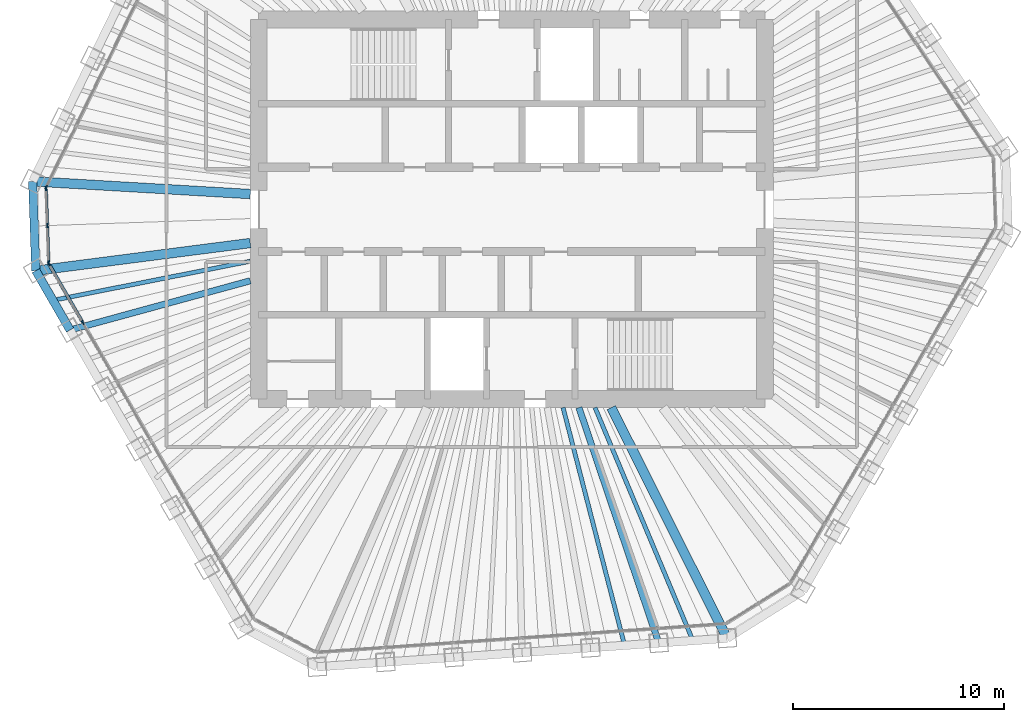
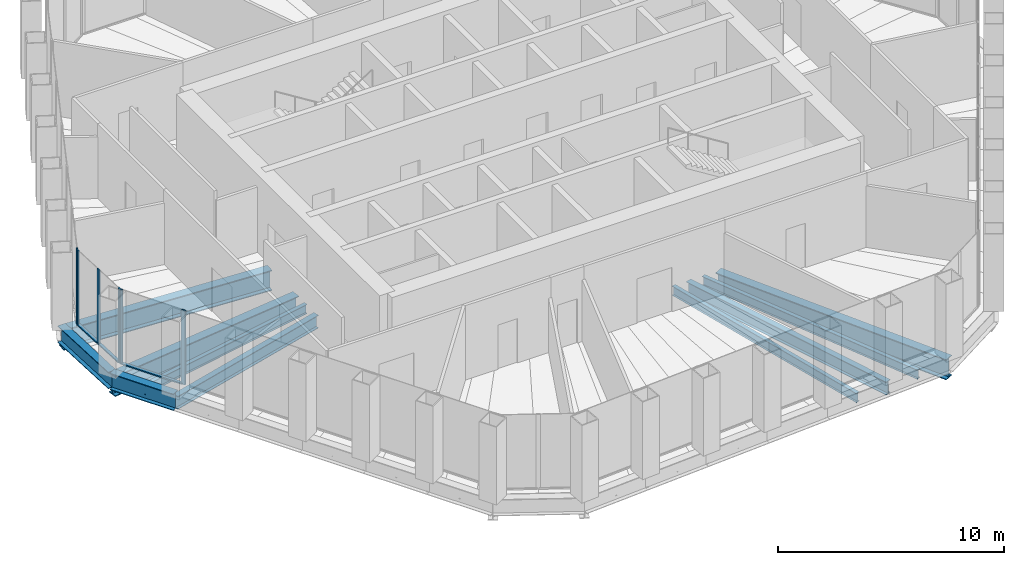
# One storey, part 3 of 14: 10 beams, 9 members, 3 elements without a shape of their own.
"""IFC4 building model written with IfcOpenShell, lengths in metres."""

from ifc_helpers import new_model, si_unit, direction, frame, origin, origin_2d, place, context, subcontext, project, spatial, rectangle, i_section, extrude, material, material_profile, profile_set, type_object, element, aggregate, save


model = new_model("IFC4")

# Units and contexts
model_context = context("Model", 3, precision=1e-05, world=origin(), true_north=direction((0.0, 1.0)))
body_context = subcontext(model_context, "Body", "Model", "MODEL_VIEW")
ifc_project = project(units=[si_unit("LENGTHUNIT", "METRE"), si_unit("AREAUNIT", "SQUARE_METRE"), si_unit("VOLUMEUNIT", "CUBIC_METRE"), si_unit("PLANEANGLEUNIT", "RADIAN"), si_unit("MASSUNIT", "GRAM", prefix="KILO")], contexts=[model_context])

# Site, building, storey
site_placement = place(None, origin())
site = spatial("IfcSite", under=ifc_project, at=site_placement, CompositionType="ELEMENT")
building_placement = place(site_placement, origin())
building = spatial("IfcBuilding", under=site, at=building_placement, Name="Qingtian Harvest Tower", CompositionType="ELEMENT")
storey_placement = place(building_placement, frame((0.0, 0.0, 308.199951171875)))
storey = spatial("IfcBuildingStorey", under=building, at=storey_placement, Name="L68", CompositionType="ELEMENT", Elevation=308.199951171875)

# Beams
ifc_material_1 = material(Name="Steel SM570MC", Category="steel")
ifc_material_profile_1 = material_profile(ifc_material_1, i_section(OverallWidth=0.449951171875, OverallDepth=1.10009765625, WebThickness=0.02197265625, FlangeThickness=0.044921875, at=origin_2d()), Name="H1100x450x22x45")
ifc_profile_set_1 = profile_set([ifc_material_profile_1], Name="Steel SM570MC")
beam_type_1 = type_object("IfcBeamType", Name="Corner floor beam FB8 H1100x450x22x45", PredefinedType="BEAM", material=ifc_profile_set_1)
beam_1_placement = place(storey_placement, frame((10.20947265625, -20.33740234375, -0.719970703125), z_axis=(-0.448649335107, 0.893707879627, 0.0), x_axis=(-0.893707879627, -0.448649335107, 0.0)))
element("IfcBeam", 1, at=beam_1_placement, inside=storey, type_object=beam_type_1, Name="Floor beam FB8 S0", PredefinedType="BEAM", context=body_context, shape_type="SweptSolid", body=[
    extrude(i_section(OverallWidth=0.449951171875, OverallDepth=1.10009765625, WebThickness=0.02197265625, FlangeThickness=0.044921875, at=origin_2d()), origin(), (0.0, 0.0, 1.0), 12.23828125),
])
beam_2_placement = place(storey_placement, frame((-22.569580078125, -2.908447265625, -0.719970703125), z_axis=(0.991798519758, 0.127811174026, 0.0), x_axis=(-0.127811174026, 0.991798519758, 0.0)))
element("IfcBeam", 2, at=beam_2_placement, inside=storey, type_object=beam_type_1, Name="Floor beam FB8 SW6", PredefinedType="BEAM", context=body_context, shape_type="SweptSolid", body=[
    extrude(i_section(OverallWidth=0.449951171875, OverallDepth=1.10009765625, WebThickness=0.02197265625, FlangeThickness=0.044921875, at=origin_2d()), origin(), (0.0, 0.0, 1.0), 10.253662109375),
])
beam_3_placement = place(storey_placement, frame((-22.71728515625, 1.3271484375, -0.719970703125), z_axis=(0.998297672445, -0.058324584791, 0.0), x_axis=(0.058324584791, 0.998297672445, 0.0)))
element("IfcBeam", 3, at=beam_3_placement, inside=storey, type_object=beam_type_1, Name="Floor beam FB8 NW0", PredefinedType="BEAM", context=body_context, shape_type="SweptSolid", body=[
    extrude(i_section(OverallWidth=0.449951171875, OverallDepth=1.10009765625, WebThickness=0.02197265625, FlangeThickness=0.044921875, at=origin_2d()), origin(), (0.0, 0.0, 1.0), 10.3349609375),
])
ifc_material_2 = material(Name="Steel SN490B", Category="steel")
ifc_material_profile_2 = material_profile(ifc_material_2, i_section(OverallWidth=0.300048828125, OverallDepth=0.699951171875, WebThickness=0.012939453125, FlangeThickness=0.02392578125, at=origin_2d()), Name="H700x300x13x24")
ifc_profile_set_2 = profile_set([ifc_material_profile_2], Name="Steel SN490B")
beam_type_2 = type_object("IfcBeamType", Name="Floor beam FB4 H700x300x13x24", PredefinedType="BEAM", material=ifc_profile_set_2)
beam_4_placement = place(storey_placement, frame((6.96923828125, -20.56396484375, -0.52001953125), z_axis=(-0.320964658262, 0.947091172035, 0.0), x_axis=(-0.947091172035, -0.320964658262, 0.0)))
element("IfcBeam", 4, at=beam_4_placement, inside=storey, type_object=beam_type_2, Name="Floor beam FB4 S1", PredefinedType="BEAM", context=body_context, shape_type="SweptSolid", body=[
    extrude(i_section(OverallWidth=0.300048828125, OverallDepth=0.699951171875, WebThickness=0.012939453125, FlangeThickness=0.02392578125, at=origin_2d()), origin(), (0.0, 0.0, 1.0), 11.787841796875),
])
beam_5_placement = place(storey_placement, frame((-20.945556640625, -5.721435546875, -0.52001953125), z_axis=(0.96466071762, 0.26349516102, 0.0), x_axis=(-0.26349516102, 0.96466071762, 0.0)))
element("IfcBeam", 5, at=beam_5_placement, inside=storey, type_object=beam_type_2, Name="Floor beam FB4 SW5", PredefinedType="BEAM", context=body_context, shape_type="SweptSolid", body=[
    extrude(i_section(OverallWidth=0.300048828125, OverallDepth=0.699951171875, WebThickness=0.012939453125, FlangeThickness=0.02392578125, at=origin_2d()), origin(), (0.0, 0.0, 1.0), 8.858642578125),
])
ifc_material_3 = material(Name="Steel SN490B", Category="steel")
ifc_material_profile_3 = material_profile(ifc_material_3, i_section(OverallWidth=0.199951171875, OverallDepth=0.5, WebThickness=0.010009765625, FlangeThickness=0.01611328125, at=origin_2d()), Name="H500x200x10x16")
ifc_profile_set_3 = profile_set([ifc_material_profile_3], Name="Steel SN490B")
beam_type_3 = type_object("IfcBeamType", Name="Floor joist J3 H500x200x10x16", PredefinedType="JOIST", material=ifc_profile_set_3)
beam_6_placement = place(storey_placement, frame((8.58935546875, -20.45068359375, -0.419921875), z_axis=(-0.387234562114, 0.921981232946, 0.0), x_axis=(-0.921981232946, -0.387234562114, 0.0)))
element("IfcBeam", 6, at=beam_6_placement, inside=storey, type_object=beam_type_3, Name="Floor joist J3 S0", PredefinedType="JOIST", context=body_context, shape_type="SweptSolid", body=[
    extrude(i_section(OverallWidth=0.199951171875, OverallDepth=0.5, WebThickness=0.010009765625, FlangeThickness=0.01611328125, at=origin_2d()), origin(), (0.0, 0.0, 1.0), 11.98583984375),
])
beam_7_placement = place(storey_placement, frame((5.349365234375, -20.67724609375, -0.419921875), z_axis=(-0.250457336117, 0.968127637652, 0.0), x_axis=(-0.968127637652, -0.250457336117, 0.0)))
element("IfcBeam", 7, at=beam_7_placement, inside=storey, type_object=beam_type_3, Name="Floor joist J3 S1", PredefinedType="JOIST", context=body_context, shape_type="SweptSolid", body=[
    extrude(i_section(OverallWidth=0.199951171875, OverallDepth=0.5, WebThickness=0.010009765625, FlangeThickness=0.01611328125, at=origin_2d()), origin(), (0.0, 0.0, 1.0), 11.648681640625),
])
beam_8_placement = place(storey_placement, frame((-21.757568359375, -4.31494140625, -0.419921875), z_axis=(0.980898289228, 0.194521325796, 0.0), x_axis=(-0.194521325796, 0.980898289228, 0.0)))
element("IfcBeam", 8, at=beam_8_placement, inside=storey, type_object=beam_type_3, Name="Floor joist J3 SW5", PredefinedType="JOIST", context=body_context, shape_type="SweptSolid", body=[
    extrude(i_section(OverallWidth=0.199951171875, OverallDepth=0.5, WebThickness=0.010009765625, FlangeThickness=0.01611328125, at=origin_2d()), origin(), (0.0, 0.0, 1.0), 9.539794921875),
])

# Curtain wall, members
ifc_material_4 = material(Name="Bronze-anodised aluminium curtain wall", Category="aluminium")
curtain_wall_type = type_object("IfcCurtainWallType", Name="Curtain wall CW5 upper office", PredefinedType="USERDEFINED", material=ifc_material_4)
curtain_wall_1_placement = place(storey_placement, origin())
curtain_wall_1 = element("IfcCurtainWall", 9, at=curtain_wall_1_placement, inside=storey, type_object=curtain_wall_type, Name="Curtain wall CW5 L68 SW0-5", ObjectType="RECESSED CURTAIN WALL", PredefinedType="USERDEFINED")
ifc_material_5 = material(Name="Bronze-anodised aluminium mullion", Category="aluminium")
ifc_material_profile_4 = material_profile(ifc_material_5, rectangle(XDim=0.06494140625, YDim=0.199951171875, at=origin_2d()), Name="AL 65x200")
ifc_profile_set_4 = profile_set([ifc_material_profile_4], Name="Bronze-anodised aluminium mullion")
member_type_1 = type_object("IfcMemberType", Name="Mullion CWM 65x200", PredefinedType="MULLION", material=ifc_profile_set_4)
member_1_placement = place(storey_placement, frame((-20.33935546875, -5.371337890625, 0.0), z_axis=(0.0, 0.0, 1.0), x_axis=(-0.866025403784, -0.5, 0.0)))
member_1 = element("IfcMember", 10, at=member_1_placement, type_object=member_type_1, Name="CW5 mullion 6", PredefinedType="MULLION", context=body_context, shape_type="SweptSolid", body=[
    extrude(rectangle(XDim=0.06494140625, YDim=0.199951171875, at=origin_2d()), origin(), (0.0, 0.0, 1.0), 4.030029296875),
])
member_2_placement = place(storey_placement, frame((-21.947021484375, -2.586669921875, 0.0), z_axis=(0.0, 0.0, 1.0), x_axis=(-0.866025403784, -0.5, 0.0)))
member_2 = element("IfcMember", 11, at=member_2_placement, type_object=member_type_1, Name="CW5 mullion 7", PredefinedType="MULLION", context=body_context, shape_type="SweptSolid", body=[
    extrude(rectangle(XDim=0.06494140625, YDim=0.199951171875, at=origin_2d()), origin(), (0.0, 0.0, 1.0), 4.030029296875),
])

curtain_wall_2_placement = place(storey_placement, origin())
curtain_wall_2 = element("IfcCurtainWall", 12, at=curtain_wall_2_placement, inside=storey, type_object=curtain_wall_type, Name="Curtain wall CW5 L68 SWC", ObjectType="RECESSED CURTAIN WALL", PredefinedType="USERDEFINED")
member_3_placement = place(storey_placement, frame((-21.96435546875, -2.526123046875, 0.0), z_axis=(0.0, 0.0, 1.0), x_axis=(-0.999390827019, -0.034899496703, 0.0)))
member_3 = element("IfcMember", 13, at=member_3_placement, type_object=member_type_1, Name="CW5 mullion 1", PredefinedType="MULLION", context=body_context, shape_type="SweptSolid", body=[
    extrude(rectangle(XDim=0.06494140625, YDim=0.199951171875, at=origin_2d()), origin(), (0.0, 0.0, 1.0), 4.030029296875),
])
member_4_placement = place(storey_placement, frame((-22.025634765625, -0.76904296875, 0.0), z_axis=(0.0, 0.0, 1.0), x_axis=(-0.999390827019, -0.034899496703, 0.0)))
member_4 = element("IfcMember", 14, at=member_4_placement, type_object=member_type_1, Name="CW5 mullion 2", PredefinedType="MULLION", context=body_context, shape_type="SweptSolid", body=[
    extrude(rectangle(XDim=0.06494140625, YDim=0.199951171875, at=origin_2d()), origin(), (0.0, 0.0, 1.0), 4.030029296875),
])
member_5_placement = place(storey_placement, frame((-22.087158203125, 0.98779296875, 0.0), z_axis=(0.0, 0.0, 1.0), x_axis=(-0.999390827019, -0.034899496703, 0.0)))
member_5 = element("IfcMember", 15, at=member_5_placement, type_object=member_type_1, Name="CW5 mullion 3", PredefinedType="MULLION", context=body_context, shape_type="SweptSolid", body=[
    extrude(rectangle(XDim=0.06494140625, YDim=0.199951171875, at=origin_2d()), origin(), (0.0, 0.0, 1.0), 4.030029296875),
])

# Curtain wall, member
curtain_wall_3_placement = place(storey_placement, origin())
curtain_wall_3 = element("IfcCurtainWall", 16, at=curtain_wall_3_placement, inside=storey, type_object=curtain_wall_type, Name="Curtain wall CW5 L68 NW0-5", ObjectType="RECESSED CURTAIN WALL", PredefinedType="USERDEFINED")
member_6_placement = place(storey_placement, frame((-22.073974609375, 1.04931640625, 0.0), z_axis=(0.0, 0.0, 1.0), x_axis=(-0.898794046299, 0.438371146789, 0.0)))
member_6 = element("IfcMember", 17, at=member_6_placement, type_object=member_type_1, Name="CW5 mullion 1", PredefinedType="MULLION", context=body_context, shape_type="SweptSolid", body=[
    extrude(rectangle(XDim=0.06494140625, YDim=0.199951171875, at=origin_2d()), origin(), (0.0, 0.0, 1.0), 4.030029296875),
])
aggregate(curtain_wall_3, [member_6])

# Beams
ifc_material_6 = material(Name="Steel SN490B", Category="steel")
ifc_material_profile_5 = material_profile(ifc_material_6, i_section(OverallWidth=0.39990234375, OverallDepth=0.89990234375, WebThickness=0.01904296875, FlangeThickness=0.035888671875, at=origin_2d()), Name="H900x400x19x36")
ifc_profile_set_5 = profile_set([ifc_material_profile_5], Name="Steel SN490B")
beam_type_4 = type_object("IfcBeamType", Name="Spandrel beam SB4 H900x400x19x36", PredefinedType="SPANDREL", material=ifc_profile_set_5)
beam_9_placement = place(storey_placement, frame((-20.945556640625, -5.721435546875, -0.449951171875), z_axis=(-0.499987045439, 0.866032882975, 0.0), x_axis=(-0.866032882975, -0.499987045439, 0.0)))
element("IfcBeam", 18, at=beam_9_placement, inside=storey, type_object=beam_type_4, Name="Spandrel SB4 SW5", PredefinedType="SPANDREL", context=body_context, shape_type="SweptSolid", body=[
    extrude(i_section(OverallWidth=0.39990234375, OverallDepth=0.89990234375, WebThickness=0.01904296875, FlangeThickness=0.035888671875, at=origin_2d()), origin(), (0.0, 0.0, 1.0), 3.248046875),
])
beam_10_placement = place(storey_placement, frame((-22.569580078125, -2.908447265625, -0.449951171875), z_axis=(-0.034851142499, 0.999392514414, 0.0), x_axis=(-0.999392514414, -0.034851142499, 0.0)))
element("IfcBeam", 19, at=beam_10_placement, inside=storey, type_object=beam_type_4, Name="Spandrel SB4 SWC", PredefinedType="SPANDREL", context=body_context, shape_type="SweptSolid", body=[
    extrude(i_section(OverallWidth=0.39990234375, OverallDepth=0.89990234375, WebThickness=0.01904296875, FlangeThickness=0.035888671875, at=origin_2d()), origin(), (0.0, 0.0, 1.0), 4.23828125),
])

# Member
ifc_material_7 = material(Name="Bronze-anodised aluminium transom", Category="aluminium")
ifc_material_profile_6 = material_profile(ifc_material_7, rectangle(XDim=0.14990234375, YDim=0.06494140625, at=origin_2d()), Name="AL 65x150")
ifc_profile_set_6 = profile_set([ifc_material_profile_6], Name="Bronze-anodised aluminium transom")
member_type_2 = type_object("IfcMemberType", Name="Transom CWT 65x150", PredefinedType="USERDEFINED", material=ifc_profile_set_6)
member_7_placement = place(storey_placement, frame((-20.35546875, -5.34326171875, 0.032470703125), z_axis=(-0.499972881236, 0.866041060244, 0.0), x_axis=(-0.866041060244, -0.499972881236, 0.0)))
member_7 = element("IfcMember", 20, at=member_7_placement, type_object=member_type_2, Name="CW5 transom 6.1", ObjectType="TRANSOM", PredefinedType="USERDEFINED", context=body_context, shape_type="SweptSolid", body=[
    extrude(rectangle(XDim=0.14990234375, YDim=0.06494140625, at=origin_2d()), origin(), (0.0, 0.0, 1.0), 3.150634765625),
])

aggregate(curtain_wall_1, [member_1, member_2, member_7])

member_8_placement = place(storey_placement, frame((-21.965576171875, -2.49365234375, 0.032470703125), z_axis=(-0.034899362377, 0.99939083171, 0.0), x_axis=(-0.99939083171, -0.034899362377, 0.0)))
member_8 = element("IfcMember", 21, at=member_8_placement, type_object=member_type_2, Name="CW5 transom 1.1", ObjectType="TRANSOM", PredefinedType="USERDEFINED", context=body_context, shape_type="SweptSolid", body=[
    extrude(rectangle(XDim=0.14990234375, YDim=0.06494140625, at=origin_2d()), origin(), (0.0, 0.0, 1.0), 1.69287109375),
])

member_9_placement = place(storey_placement, frame((-22.02685546875, -0.736572265625, 0.032470703125), z_axis=(-0.034899362377, 0.99939083171, 0.0), x_axis=(-0.99939083171, -0.034899362377, 0.0)))
member_9 = element("IfcMember", 22, at=member_9_placement, type_object=member_type_2, Name="CW5 transom 2.1", ObjectType="TRANSOM", PredefinedType="USERDEFINED", context=body_context, shape_type="SweptSolid", body=[
    extrude(rectangle(XDim=0.14990234375, YDim=0.06494140625, at=origin_2d()), origin(), (0.0, 0.0, 1.0), 1.69287109375),
])

aggregate(curtain_wall_2, [member_3, member_4, member_5, member_8, member_9])

save(model, "model.ifc")
